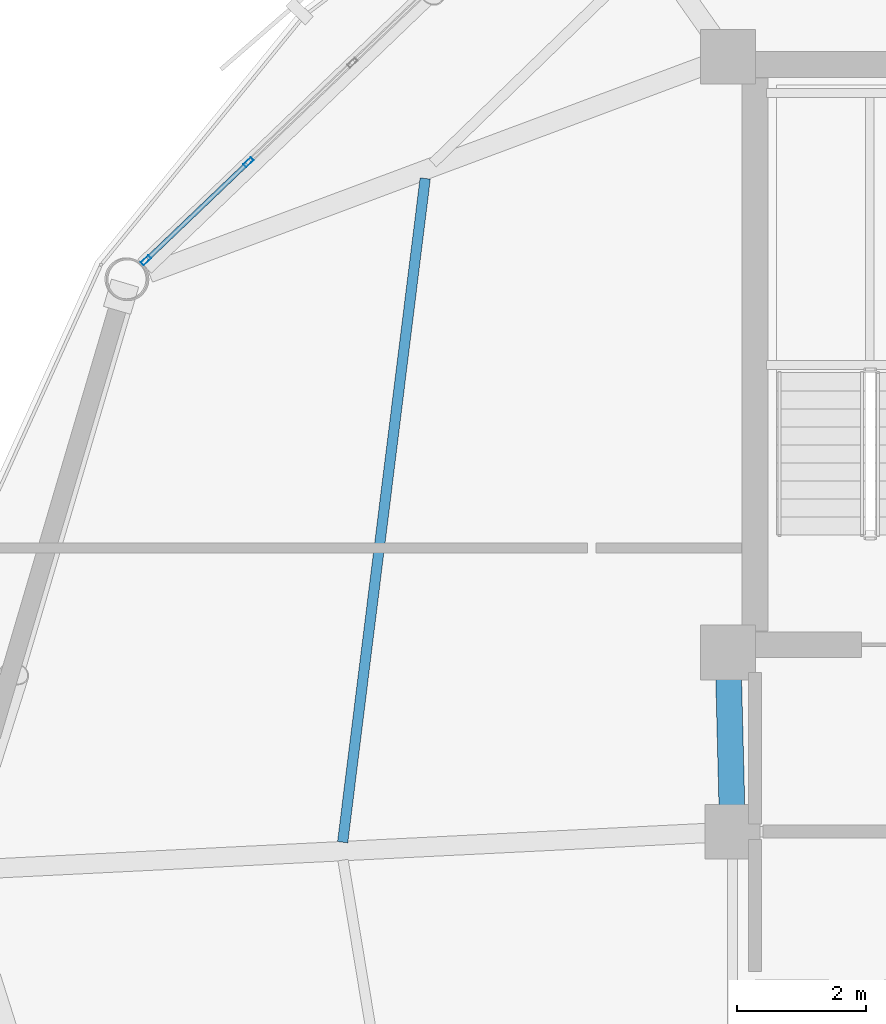
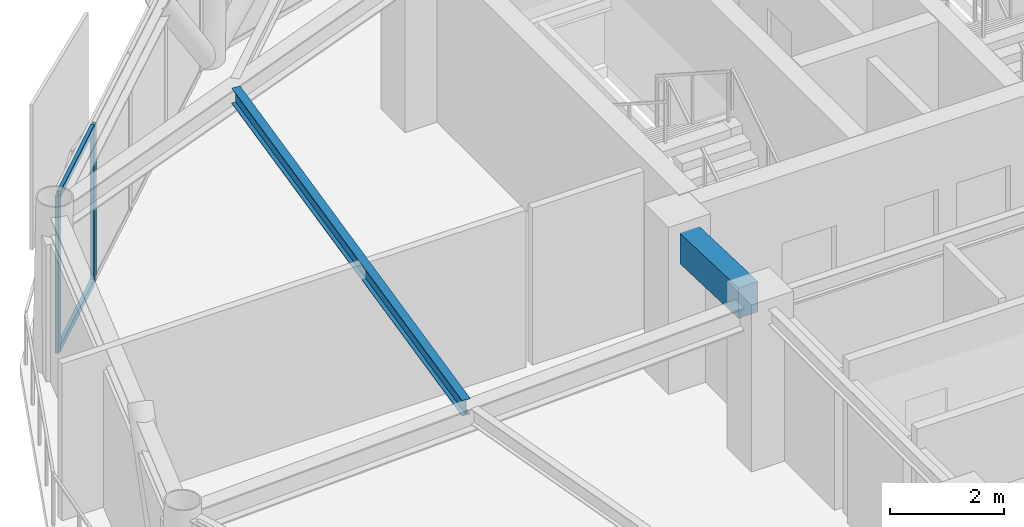
# One storey, part 12 of 28: 4 members, 2 beams, 1 element without a shape of its own.
"""IFC4 building model written with IfcOpenShell, lengths in metres."""

import ifcopenshell
import ifcopenshell.guid

model = None  # the IFC model being written
_history = None  # IfcOwnerHistory: only IFC2X3 demands one
_inside = {}  # id of a spatial element -> (the spatial element, [elements in it])
_under = {}  # id of a project, library or spatial element -> (it, [spatial elements below it])
_declared = {}  # id of a project -> (the project, [libraries it declares])
_typed = {}  # id of a type object -> (the type object, [elements of that type])
_made_of = {}  # id of a material, layer set ... -> (it, [elements and type objects made of it])


def new_model(schema):
    """Start an empty IFC model of exactly this schema.

    Asked for "IFC4X3", IfcOpenShell would pick the latest addendum, in which some entities
    have other attributes; the version numbers below select the first issue.
    IFC2X3 requires an IfcOwnerHistory on every rooted entity: one is made here for all.
    """
    global model, _history
    if schema == "IFC4X3":
        model = ifcopenshell.file(schema_version=(4, 3, 0, 0))
    else:
        model = ifcopenshell.file(schema=schema)
    _inside.clear()
    _under.clear()
    _declared.clear()
    _typed.clear()
    _made_of.clear()
    _history = None
    if model.schema == "IFC2X3":
        org = make("IfcOrganization", Name="unknown")
        user = make(
            "IfcPersonAndOrganization",
            ThePerson=make("IfcPerson", FamilyName="unknown"),
            TheOrganization=org,
        )
        app = make(
            "IfcApplication",
            ApplicationDeveloper=org,
            Version="unknown",
            ApplicationFullName="unknown",
            ApplicationIdentifier="unknown",
        )
        _history = make(
            "IfcOwnerHistory",
            OwningUser=user,
            OwningApplication=app,
            ChangeAction="ADDED",
            CreationDate=0,
        )
    return model


def make(cls, **values):
    """One entity of the class cls with the attributes given. An attribute that is None is left unset."""
    return model.create_entity(
        cls, **{name: value for name, value in values.items() if value is not None}
    )


def rooted(cls, **values):
    """An entity with a GlobalId (a new one), such as an element, a storey or a relation."""
    return make(cls, GlobalId=ifcopenshell.guid.new(), OwnerHistory=_history, **values)


def si_unit(unit_type, name, prefix=None):
    """IfcSIUnit, for example si_unit("LENGTHUNIT", "METRE", prefix="MILLI")."""
    return make("IfcSIUnit", UnitType=unit_type, Prefix=prefix, Name=name)


def assignment(units):
    """IfcUnitAssignment: the units of a project."""
    return None if units is None else make("IfcUnitAssignment", Units=units)


def point(xyz):
    """IfcCartesianPoint."""
    return None if xyz is None else make("IfcCartesianPoint", Coordinates=xyz)


def direction(xyz):
    """IfcDirection."""
    return None if xyz is None else make("IfcDirection", DirectionRatios=xyz)


def frame(location, z_axis=None, x_axis=None):
    """IfcAxis2Placement3D, a coordinate frame: its origin and axes. An axis left out is left unset."""
    return make(
        "IfcAxis2Placement3D",
        Location=point(location),
        Axis=direction(z_axis),
        RefDirection=direction(x_axis),
    )


def frame_2d(location, x_axis=None):
    """IfcAxis2Placement2D, a coordinate frame in the plane: its origin and x axis."""
    return make(
        "IfcAxis2Placement2D", Location=point(location), RefDirection=direction(x_axis)
    )


def origin():
    """The frame at (0, 0, 0) with its axes left unset."""
    return frame((0.0, 0.0, 0.0))


def origin_2d():
    """The frame at (0, 0) in the plane with its x axis left unset."""
    return frame_2d((0.0, 0.0))


def place(relative_to, where):
    """IfcLocalPlacement: puts the frame where relative to a parent placement (None: the world)."""
    return make(
        "IfcLocalPlacement", PlacementRelTo=relative_to, RelativePlacement=where
    )


def context(
    kind, dimensions, precision=None, world=None, true_north=None, identifier=None
):
    """IfcGeometricRepresentationContext, for example the 3D "Model" context."""
    return make(
        "IfcGeometricRepresentationContext",
        ContextIdentifier=identifier,
        ContextType=kind,
        CoordinateSpaceDimension=dimensions,
        Precision=precision,
        WorldCoordinateSystem=world,
        TrueNorth=true_north,
    )


def subcontext(parent, identifier, kind, view, scale=None):
    """IfcGeometricRepresentationSubContext, for example "Body" below "Model"."""
    return make(
        "IfcGeometricRepresentationSubContext",
        ContextIdentifier=identifier,
        ContextType=kind,
        ParentContext=parent,
        TargetScale=scale,
        TargetView=view,
    )


def project(units=None, contexts=None):
    """IfcProject with its units and contexts."""
    return rooted(
        "IfcProject",
        Name="project",
        RepresentationContexts=contexts,
        UnitsInContext=assignment(units),
    )


def spatial(cls, under=None, at=None, **own):
    """A site, building, storey or space (cls), placed at a placement, below another one or the project."""
    s = rooted(cls, ObjectPlacement=at, **own)
    if under is not None:
        _under.setdefault(under.id(), (under, []))[1].append(s)
    return s


def profile(cls, at=None, kind="AREA", **sizes):
    """A parametric profile (cls). Its sizes go by their IFC names, for example OverallWidth=200.0."""
    return make(cls, ProfileType=kind, Position=at, **sizes)


def rectangle(**sizes):
    """IfcRectangleProfileDef."""
    return profile("IfcRectangleProfileDef", **sizes)


def hollow_rectangle(**sizes):
    """IfcRectangleHollowProfileDef."""
    return profile("IfcRectangleHollowProfileDef", **sizes)


def i_section(**sizes):
    """IfcIShapeProfileDef."""
    return profile("IfcIShapeProfileDef", **sizes)


def extrude(swept, where, along, depth):
    """IfcExtrudedAreaSolid: the profile swept, set in the frame where, extruded along a direction by depth."""
    return make(
        "IfcExtrudedAreaSolid",
        SweptArea=swept,
        Position=where,
        ExtrudedDirection=direction(along),
        Depth=depth,
    )


def shape(context_of_items, identifier, shape_type, items):
    """IfcShapeRepresentation: the items that make up one representation, for example the "Body"."""
    return make(
        "IfcShapeRepresentation",
        ContextOfItems=context_of_items,
        RepresentationIdentifier=identifier,
        RepresentationType=shape_type,
        Items=items,
    )


def material(Name=None, Category=None):
    """IfcMaterial."""
    return make("IfcMaterial", Name=Name, Category=Category)


def layer(
    of_material, thickness, ventilated=None, Name=None, Category=None, Priority=None
):
    """IfcMaterialLayer: one layer of a wall or slab, of a material (None: an air gap)."""
    return make(
        "IfcMaterialLayer",
        Material=of_material,
        LayerThickness=thickness,
        IsVentilated=ventilated,
        Name=Name,
        Category=Category,
        Priority=Priority,
    )


def layer_set(layers, Name=None):
    """IfcMaterialLayerSet."""
    return make("IfcMaterialLayerSet", MaterialLayers=layers, LayerSetName=Name)


def material_profile(
    of_material, cross_section, Name=None, Category=None, Priority=None
):
    """IfcMaterialProfile: a cross section and its material."""
    return make(
        "IfcMaterialProfile",
        Name=Name,
        Material=of_material,
        Profile=cross_section,
        Priority=Priority,
        Category=Category,
    )


def profile_set(profiles, Name=None, composite=None):
    """IfcMaterialProfileSet."""
    return make(
        "IfcMaterialProfileSet",
        Name=Name,
        MaterialProfiles=profiles,
        CompositeProfile=composite,
    )


def made_of(thing, what):
    """Note that an element or type object is made of a material, layer set ...; save() writes the relation."""
    if what is not None:
        _made_of.setdefault(what.id(), (what, []))[1].append(thing)
    return thing


def type_object(cls, material=None, **own):
    """A type object (cls), such as IfcWallType, which elements share."""
    return made_of(rooted(cls, **own), material)


def element(
    cls,
    number,
    at=None,
    inside=None,
    cuts=None,
    type_object=None,
    material=None,
    context=None,
    identifier="Body",
    shape_type=None,
    held_by="IfcProductDefinitionShape",
    body=None,
    shapes=None,
    **own,
):
    """One element of the class cls, such as IfcWall. Its Tag is "e" and its number.

    at: its placement. inside: the storey or other place that contains it. cuts: it is an
    opening in that element (IfcRelVoidsElement). A single representation is given by context,
    identifier, shape_type and body (its items); several are given by shapes. held_by: the class
    of the entity that holds the representations. save() writes the other relations.
    """
    e = rooted(cls, Tag="e%d" % number, ObjectPlacement=at, **own)
    if body is not None:
        shapes = [shape(context, identifier, shape_type, body)]
    if shapes is not None:
        e.Representation = make(held_by, Representations=shapes)
    if inside is not None:
        _inside.setdefault(inside.id(), (inside, []))[1].append(e)
    if cuts is not None:
        rooted(
            "IfcRelVoidsElement", RelatingBuildingElement=cuts, RelatedOpeningElement=e
        )
    if type_object is not None:
        _typed.setdefault(type_object.id(), (type_object, []))[1].append(e)
    return made_of(e, material)


def aggregate(whole, parts):
    """IfcRelAggregates: a whole, such as a stair, and the parts it consists of."""
    return rooted("IfcRelAggregates", RelatingObject=whole, RelatedObjects=parts)


def save(model, path):
    """Write the relations noted so far, then the file.

    IfcRelAggregates (storeys below a building ...), IfcRelContainedInSpatialStructure (elements
    in a storey), IfcRelDefinesByType, IfcRelAssociatesMaterial and IfcRelDeclares: one each for
    every whole, place, type object, material and project.
    """
    for whole, parts in _under.values():
        aggregate(whole, parts)
    for where, things in _inside.values():
        rooted(
            "IfcRelContainedInSpatialStructure",
            RelatedElements=things,
            RelatingStructure=where,
        )
    for kind, things in _typed.values():
        rooted("IfcRelDefinesByType", RelatedObjects=things, RelatingType=kind)
    for what, things in _made_of.values():
        rooted("IfcRelAssociatesMaterial", RelatedObjects=things, RelatingMaterial=what)
    for by, libraries in _declared.values():
        rooted("IfcRelDeclares", RelatingContext=by, RelatedDefinitions=libraries)
    model.write(path)


model = new_model("IFC4")

# Units and contexts
model_context = context("Model", 3, precision=1e-05, world=origin(), true_north=direction((0.0, 1.0)))
body_context = subcontext(model_context, "Body", "Model", "MODEL_VIEW")
ifc_project = project(units=[si_unit("LENGTHUNIT", "METRE"), si_unit("AREAUNIT", "SQUARE_METRE"), si_unit("VOLUMEUNIT", "CUBIC_METRE"), si_unit("PLANEANGLEUNIT", "RADIAN"), si_unit("MASSUNIT", "GRAM", prefix="KILO")], contexts=[model_context])

# Site, building, storey
site_placement = place(None, origin())
site = spatial("IfcSite", under=ifc_project, at=site_placement, CompositionType="ELEMENT")
building_placement = place(site_placement, origin())
building = spatial("IfcBuilding", under=site, at=building_placement, Name="Varnakorn Sky Granary", CompositionType="ELEMENT")
storey_placement = place(building_placement, frame((0.0, 0.0, 204.0)))
storey = spatial("IfcBuildingStorey", under=building, at=storey_placement, Name="L51", CompositionType="ELEMENT", Elevation=204.0)

# Beams
ifc_material_1 = material(Name="Concrete C50/60", Category="concrete")
ifc_material_profile_1 = material_profile(ifc_material_1, rectangle(XDim=0.39990234375, YDim=0.64990234375, at=origin_2d()), Name="RC 400x650")
ifc_profile_set_1 = profile_set([ifc_material_profile_1], Name="Concrete C50/60")
beam_type_1 = type_object("IfcBeamType", Name="BM-LIN-650", PredefinedType="LINTEL", material=ifc_profile_set_1)
beam_1_placement = place(storey_placement, frame((-2.409912109375, 2.97509765625, 3.034912109375), z_axis=(0.025270737467, -0.99968064392, 0.0), x_axis=(0.99968064392, 0.025270737467, 0.0)))
element("IfcBeam", 1, at=beam_1_placement, inside=storey, type_object=beam_type_1, Name="Core Spine Framing Beam 1 L51", PredefinedType="LINTEL", context=body_context, shape_type="SweptSolid", body=[
    extrude(rectangle(XDim=0.39990234375, YDim=0.64990234375, at=origin_2d()), origin(), (0.0, 0.0, 1.0), 1.970947265625),
])
ifc_material_2 = material(Name="Steel S355JR", Category="steel")
ifc_material_profile_2 = material_profile(ifc_material_2, i_section(OverallWidth=0.159912109375, OverallDepth=0.330078125, WebThickness=0.007568359375, FlangeThickness=0.011474609375, at=origin_2d()), Name="IPE 330")
ifc_profile_set_2 = profile_set([ifc_material_profile_2], Name="Steel S355JR")
beam_type_2 = type_object("IfcBeamType", Name="BM-SEC-Z4", PredefinedType="BEAM", material=ifc_profile_set_2)
beam_2_placement = place(storey_placement, frame((-7.1171875, 10.73291015625, 3.195068359375), z_axis=(-0.123417847639, -0.992354792846, 0.0), x_axis=(0.992354792846, -0.123417847639, 0.0)))
element("IfcBeam", 2, at=beam_2_placement, inside=storey, type_object=beam_type_2, Name="Secondary Floor Chord Beam MSB06 L51", PredefinedType="BEAM", context=body_context, shape_type="SweptSolid", body=[
    extrude(i_section(OverallWidth=0.159912109375, OverallDepth=0.330078125, WebThickness=0.007568359375, FlangeThickness=0.011474609375, at=origin_2d()), origin(), (0.0, 0.0, 1.0), 10.37548828125),
])

# Curtain wall, members
ifc_material_3 = material(Name="Anodised Bronze Aluminium Alloy 6063-T6", Category="aluminium")
ifc_layer = layer(ifc_material_3, 0.169921875, Name="Anodised Bronze Aluminium Alloy 6063-T6")
ifc_layer_set = layer_set([ifc_layer], Name="Anodised Bronze Aluminium Alloy 6063-T6")
curtain_wall_type = type_object("IfcCurtainWallType", Name="CW-LAB-1", PredefinedType="USERDEFINED", material=ifc_layer_set)
curtain_wall_placement = place(storey_placement, origin())
curtain_wall = element("IfcCurtainWall", 3, at=curtain_wall_placement, inside=storey, type_object=curtain_wall_type, Name="Unitised Curtain Wall CW5 CW-L51-B05", ObjectType="CURTAIN WALL", PredefinedType="USERDEFINED")
ifc_material_profile_3 = material_profile(ifc_material_3, hollow_rectangle(XDim=0.06494140625, YDim=0.159912109375, WallThickness=0.00341796875, at=origin_2d()), Name="ALU MULL 65x160")
ifc_profile_set_3 = profile_set([ifc_material_profile_3], Name="Anodised Bronze Aluminium Alloy 6063-T6")
member_type_1 = type_object("IfcMemberType", Name="CW-LAB-1-MULL", PredefinedType="MULLION", material=ifc_profile_set_3)
member_1_placement = place(storey_placement, frame((-11.448974609375, 9.464111328125, 0.0), z_axis=(0.0, 0.0, 1.0), x_axis=(-0.691317195735, 0.722551406393, 0.0)))
member_1 = element("IfcMember", 4, at=member_1_placement, type_object=member_type_1, Name="CW5 mullion 1", PredefinedType="MULLION", context=body_context, shape_type="SweptSolid", body=[
    extrude(hollow_rectangle(XDim=0.06494140625, YDim=0.159912109375, WallThickness=0.00341796875, at=origin_2d()), origin(), (0.0, 0.0, 1.0), 3.360107421875),
])
member_2_placement = place(storey_placement, frame((-9.85888671875, 10.9853515625, 0.0), z_axis=(0.0, 0.0, 1.0), x_axis=(-0.691317195735, 0.722551406393, 0.0)))
member_2 = element("IfcMember", 5, at=member_2_placement, type_object=member_type_1, Name="CW5 mullion 2", PredefinedType="MULLION", context=body_context, shape_type="SweptSolid", body=[
    extrude(hollow_rectangle(XDim=0.06494140625, YDim=0.159912109375, WallThickness=0.00341796875, at=origin_2d()), origin(), (0.0, 0.0, 1.0), 3.360107421875),
])
ifc_material_profile_4 = material_profile(ifc_material_3, hollow_rectangle(XDim=0.070068359375, YDim=0.139892578125, WallThickness=0.00341796875, at=origin_2d()), Name="ALU TRAN 70x140")
ifc_profile_set_4 = profile_set([ifc_material_profile_4], Name="Anodised Bronze Aluminium Alloy 6063-T6")
member_type_2 = type_object("IfcMemberType", Name="CW-LAB-1-TRAN", PredefinedType="USERDEFINED", material=ifc_profile_set_4)
member_3_placement = place(storey_placement, frame((-11.425537109375, 9.486572265625, 0.034912109375), z_axis=(0.722594684386, 0.691271959577, 0.0), x_axis=(-0.691271959577, 0.722594684386, 0.0)))
member_3 = element("IfcMember", 6, at=member_3_placement, type_object=member_type_2, Name="CW5 transom 1.1", ObjectType="TRANSOM", PredefinedType="USERDEFINED", context=body_context, shape_type="SweptSolid", body=[
    extrude(hollow_rectangle(XDim=0.070068359375, YDim=0.139892578125, WallThickness=0.00341796875, at=origin_2d()), origin(), (0.0, 0.0, 1.0), 2.1357421875),
])
member_4_placement = place(storey_placement, frame((-11.425537109375, 9.486572265625, 3.324951171875), z_axis=(0.722594684386, 0.691271959577, 0.0), x_axis=(-0.691271959577, 0.722594684386, 0.0)))
member_4 = element("IfcMember", 7, at=member_4_placement, type_object=member_type_2, Name="CW5 transom 1.2", ObjectType="TRANSOM", PredefinedType="USERDEFINED", context=body_context, shape_type="SweptSolid", body=[
    extrude(hollow_rectangle(XDim=0.070068359375, YDim=0.139892578125, WallThickness=0.00341796875, at=origin_2d()), origin(), (0.0, 0.0, 1.0), 2.1357421875),
])
aggregate(curtain_wall, [member_1, member_2, member_3, member_4])

save(model, "model.ifc")
